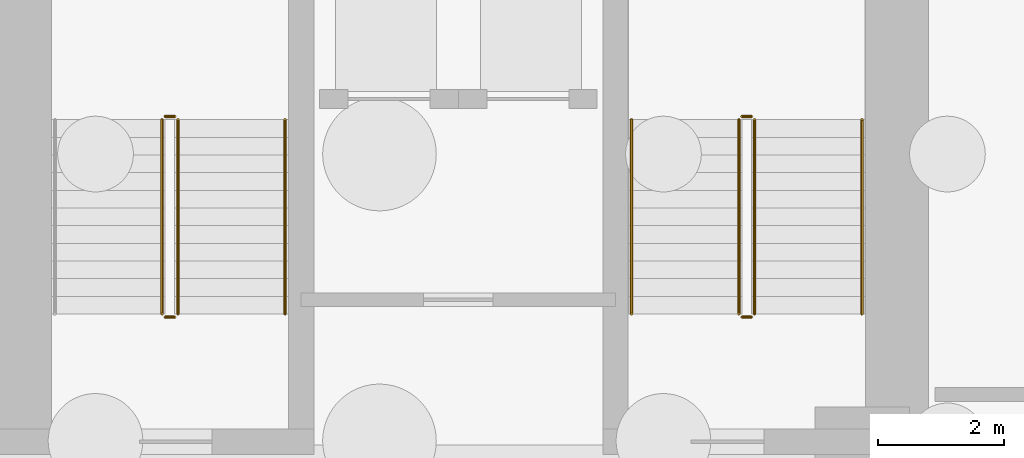
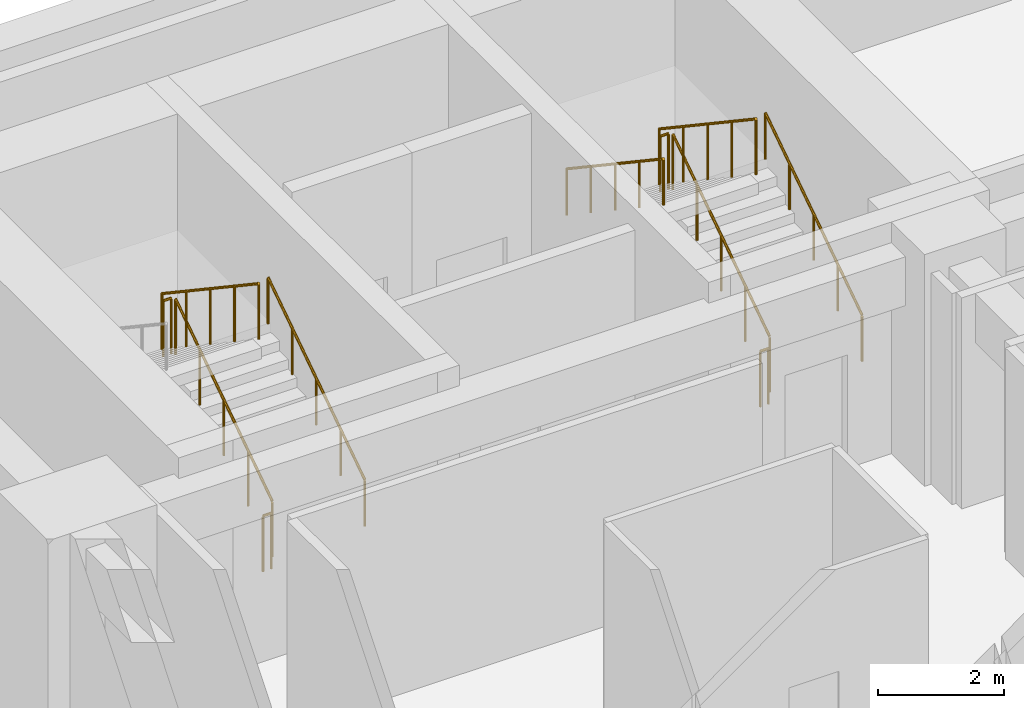
# One storey, part 6 of 8: 11 railings.
"""IFC4 building model written with IfcOpenShell, lengths in metres."""

from ifc_helpers import new_model, si_unit, direction, frame, origin, origin_2d, place, context, subcontext, project, spatial, circle, extrude, material, type_object, element, save


model = new_model("IFC4")

# Units and contexts
model_context = context("Model", 3, precision=1e-05, world=origin(), true_north=direction((0.0, 1.0)))
body_context = subcontext(model_context, "Body", "Model", "MODEL_VIEW")
ifc_project = project(units=[si_unit("LENGTHUNIT", "METRE"), si_unit("AREAUNIT", "SQUARE_METRE"), si_unit("VOLUMEUNIT", "CUBIC_METRE"), si_unit("PLANEANGLEUNIT", "RADIAN"), si_unit("MASSUNIT", "GRAM", prefix="KILO")], contexts=[model_context])

# Site, building, storey
site_placement = place(None, origin())
site = spatial("IfcSite", under=ifc_project, at=site_placement, CompositionType="ELEMENT")
building_placement = place(site_placement, origin())
building = spatial("IfcBuilding", under=site, at=building_placement, Name="Sulina Concourse Tower", CompositionType="ELEMENT")
storey_placement = place(building_placement, frame((0.0, 0.0, -9.0)))
storey = spatial("IfcBuildingStorey", under=building, at=storey_placement, Name="B2", CompositionType="ELEMENT", Elevation=-9.0)

# Railings
ifc_material_1 = material(Name="Galvanised steel railing", Category="steel")
railing_type_1 = type_object("IfcRailingType", Name="Core Stair Steel Guardrail 1150mm", PredefinedType="GUARDRAIL", material=ifc_material_1)
railing_1_placement = place(storey_placement, frame((5.554931640625, 36.375, 0.1875)))
element("IfcRailing", 1, at=railing_1_placement, inside=storey, type_object=railing_type_1, Name="B2 ST-1 stair guard 1", PredefinedType="GUARDRAIL", context=body_context, shape_type="SweptSolid", body=[
    extrude(circle(Radius=0.02392578125, at=origin_2d()), frame((0.0, 0.0, 1.076171875), z_axis=(0.0, 0.830913701846, 0.55640131208), x_axis=(-1.0, 0.0, 0.0)), (0.0, 0.0, 1.0), 3.706787109375),
    extrude(circle(Radius=0.02099609375, at=origin_2d()), origin(), (0.0, 0.0, 1.0), 1.052001953125),
    extrude(circle(Radius=0.02099609375, at=origin_2d()), frame((0.0, 0.77001953125, 0.515625)), (0.0, 0.0, 1.0), 1.052001953125),
    extrude(circle(Radius=0.02099609375, at=origin_2d()), frame((0.0, 1.5400390625, 1.03125)), (0.0, 0.0, 1.0), 1.052001953125),
    extrude(circle(Radius=0.02099609375, at=origin_2d()), frame((0.0, 2.31005859375, 1.546875)), (0.0, 0.0, 1.0), 1.052001953125),
    extrude(circle(Radius=0.02099609375, at=origin_2d()), frame((0.0, 3.080078125, 2.0625)), (0.0, 0.0, 1.0), 1.052001953125),
])
railing_2_placement = place(storey_placement, frame((5.5048828125, 39.5048828125, 2.25)))
element("IfcRailing", 2, at=railing_2_placement, inside=storey, type_object=railing_type_1, Name="B2 ST-1 stair guard 2", PredefinedType="GUARDRAIL", context=body_context, shape_type="SweptSolid", body=[
    extrude(circle(Radius=0.02392578125, at=origin_2d()), frame((0.0, 0.0, 1.076171875), z_axis=(-1.0, 0.0, 0.0), x_axis=(0.0, -1.0, 0.0)), (0.0, 0.0, 1.0), 0.14990234375),
    extrude(circle(Radius=0.02099609375, at=origin_2d()), origin(), (0.0, 0.0, 1.0), 1.052001953125),
    extrude(circle(Radius=0.02099609375, at=origin_2d()), frame((-0.14990234375, 0.0, 0.0)), (0.0, 0.0, 1.0), 1.052001953125),
])
railing_3_placement = place(storey_placement, frame((5.304931640625, 39.455078125, 2.4375)))
element("IfcRailing", 3, at=railing_3_placement, inside=storey, type_object=railing_type_1, Name="B2 ST-1 stair guard 3", PredefinedType="GUARDRAIL", context=body_context, shape_type="SweptSolid", body=[
    extrude(circle(Radius=0.02392578125, at=origin_2d()), frame((0.0, 0.0, 1.076171875), z_axis=(0.0, -0.830913701846, 0.55640131208), x_axis=(1.0, 0.0, 0.0)), (0.0, 0.0, 1.0), 3.706787109375),
    extrude(circle(Radius=0.02099609375, at=origin_2d()), origin(), (0.0, 0.0, 1.0), 1.052001953125),
    extrude(circle(Radius=0.02099609375, at=origin_2d()), frame((0.0, -0.77001953125, 0.515625)), (0.0, 0.0, 1.0), 1.052001953125),
    extrude(circle(Radius=0.02099609375, at=origin_2d()), frame((0.0, -1.5400390625, 1.03125)), (0.0, 0.0, 1.0), 1.052001953125),
    extrude(circle(Radius=0.02099609375, at=origin_2d()), frame((0.0, -2.31005859375, 1.546875)), (0.0, 0.0, 1.0), 1.052001953125),
    extrude(circle(Radius=0.02099609375, at=origin_2d()), frame((0.0, -3.080078125, 2.0625)), (0.0, 0.0, 1.0), 1.052001953125),
])
railing_4_placement = place(storey_placement, frame((5.5048828125, 36.324951171875, 0.0)))
element("IfcRailing", 4, at=railing_4_placement, inside=storey, type_object=railing_type_1, Name="B2 ST-1 stair guard 4", PredefinedType="GUARDRAIL", context=body_context, shape_type="SweptSolid", body=[
    extrude(circle(Radius=0.02392578125, at=origin_2d()), frame((0.0, 0.0, 1.076171875), z_axis=(-1.0, 0.0, 0.0), x_axis=(0.0, -1.0, 0.0)), (0.0, 0.0, 1.0), 0.14990234375),
    extrude(circle(Radius=0.02099609375, at=origin_2d()), origin(), (0.0, 0.0, 1.0), 1.052001953125),
    extrude(circle(Radius=0.02099609375, at=origin_2d()), frame((-0.14990234375, 0.0, 0.0)), (0.0, 0.0, 1.0), 1.052001953125),
])
railing_5_placement = place(storey_placement, frame((14.695068359375, 36.375, 0.1875)))
element("IfcRailing", 5, at=railing_5_placement, inside=storey, type_object=railing_type_1, Name="B2 ST-2 stair guard 1", PredefinedType="GUARDRAIL", context=body_context, shape_type="SweptSolid", body=[
    extrude(circle(Radius=0.02392578125, at=origin_2d()), frame((0.0, 0.0, 1.076171875), z_axis=(0.0, 0.830913701846, 0.55640131208), x_axis=(-1.0, 0.0, 0.0)), (0.0, 0.0, 1.0), 3.706787109375),
    extrude(circle(Radius=0.02099609375, at=origin_2d()), origin(), (0.0, 0.0, 1.0), 1.052001953125),
    extrude(circle(Radius=0.02099609375, at=origin_2d()), frame((0.0, 0.77001953125, 0.515625)), (0.0, 0.0, 1.0), 1.052001953125),
    extrude(circle(Radius=0.02099609375, at=origin_2d()), frame((0.0, 1.5400390625, 1.03125)), (0.0, 0.0, 1.0), 1.052001953125),
    extrude(circle(Radius=0.02099609375, at=origin_2d()), frame((0.0, 2.31005859375, 1.546875)), (0.0, 0.0, 1.0), 1.052001953125),
    extrude(circle(Radius=0.02099609375, at=origin_2d()), frame((0.0, 3.080078125, 2.0625)), (0.0, 0.0, 1.0), 1.052001953125),
])
railing_6_placement = place(storey_placement, frame((14.64501953125, 39.5048828125, 2.25)))
element("IfcRailing", 6, at=railing_6_placement, inside=storey, type_object=railing_type_1, Name="B2 ST-2 stair guard 2", PredefinedType="GUARDRAIL", context=body_context, shape_type="SweptSolid", body=[
    extrude(circle(Radius=0.02392578125, at=origin_2d()), frame((0.0, 0.0, 1.076171875), z_axis=(-1.0, 0.0, 0.0), x_axis=(0.0, -1.0, 0.0)), (0.0, 0.0, 1.0), 0.14990234375),
    extrude(circle(Radius=0.02099609375, at=origin_2d()), origin(), (0.0, 0.0, 1.0), 1.052001953125),
    extrude(circle(Radius=0.02099609375, at=origin_2d()), frame((-0.14990234375, 0.0, 0.0)), (0.0, 0.0, 1.0), 1.052001953125),
])
railing_7_placement = place(storey_placement, frame((14.445068359375, 39.455078125, 2.4375)))
element("IfcRailing", 7, at=railing_7_placement, inside=storey, type_object=railing_type_1, Name="B2 ST-2 stair guard 3", PredefinedType="GUARDRAIL", context=body_context, shape_type="SweptSolid", body=[
    extrude(circle(Radius=0.02392578125, at=origin_2d()), frame((0.0, 0.0, 1.076171875), z_axis=(0.0, -0.830913701846, 0.55640131208), x_axis=(1.0, 0.0, 0.0)), (0.0, 0.0, 1.0), 3.706787109375),
    extrude(circle(Radius=0.02099609375, at=origin_2d()), origin(), (0.0, 0.0, 1.0), 1.052001953125),
    extrude(circle(Radius=0.02099609375, at=origin_2d()), frame((0.0, -0.77001953125, 0.515625)), (0.0, 0.0, 1.0), 1.052001953125),
    extrude(circle(Radius=0.02099609375, at=origin_2d()), frame((0.0, -1.5400390625, 1.03125)), (0.0, 0.0, 1.0), 1.052001953125),
    extrude(circle(Radius=0.02099609375, at=origin_2d()), frame((0.0, -2.31005859375, 1.546875)), (0.0, 0.0, 1.0), 1.052001953125),
    extrude(circle(Radius=0.02099609375, at=origin_2d()), frame((0.0, -3.080078125, 2.0625)), (0.0, 0.0, 1.0), 1.052001953125),
])
railing_8_placement = place(storey_placement, frame((14.64501953125, 36.324951171875, 0.0)))
element("IfcRailing", 8, at=railing_8_placement, inside=storey, type_object=railing_type_1, Name="B2 ST-2 stair guard 4", PredefinedType="GUARDRAIL", context=body_context, shape_type="SweptSolid", body=[
    extrude(circle(Radius=0.02392578125, at=origin_2d()), frame((0.0, 0.0, 1.076171875), z_axis=(-1.0, 0.0, 0.0), x_axis=(0.0, -1.0, 0.0)), (0.0, 0.0, 1.0), 0.14990234375),
    extrude(circle(Radius=0.02099609375, at=origin_2d()), origin(), (0.0, 0.0, 1.0), 1.052001953125),
    extrude(circle(Radius=0.02099609375, at=origin_2d()), frame((-0.14990234375, 0.0, 0.0)), (0.0, 0.0, 1.0), 1.052001953125),
])
ifc_material_2 = material(Name="Galvanised steel railing", Category="steel")
railing_type_2 = type_object("IfcRailingType", Name="Stair Wall Steel Handrail 920mm", PredefinedType="HANDRAIL", material=ifc_material_2)
for number, where, name in (
    (9, (7.2548828125, 36.375, 0.1875), "B2 ST-1 stair handrail 1"),
    (10, (16.39501953125, 36.375, 0.1875), "B2 ST-2 stair handrail 1"),
):
    element("IfcRailing", number, at=place(storey_placement, frame(where)), inside=storey, type_object=railing_type_2, Name=name, PredefinedType="HANDRAIL", context=body_context, shape_type="SweptSolid", body=[
        extrude(circle(Radius=0.02392578125, at=origin_2d()), frame((0.0, 0.0, 0.89599609375), z_axis=(0.0, 0.830913701846, 0.55640131208), x_axis=(-1.0, 0.0, 0.0)), (0.0, 0.0, 1.0), 3.706787109375),
        extrude(circle(Radius=0.02099609375, at=origin_2d()), origin(), (0.0, 0.0, 1.0), 0.871826171875),
        extrude(circle(Radius=0.02099609375, at=origin_2d()), frame((0.0, 0.77001953125, 0.515625)), (0.0, 0.0, 1.0), 0.871826171875),
        extrude(circle(Radius=0.02099609375, at=origin_2d()), frame((0.0, 1.5400390625, 1.03125)), (0.0, 0.0, 1.0), 0.871826171875),
        extrude(circle(Radius=0.02099609375, at=origin_2d()), frame((0.0, 2.31005859375, 1.546875)), (0.0, 0.0, 1.0), 0.871826171875),
        extrude(circle(Radius=0.02099609375, at=origin_2d()), frame((0.0, 3.080078125, 2.0625)), (0.0, 0.0, 1.0), 0.871826171875),
    ])
railing_9_placement = place(storey_placement, frame((12.7451171875, 39.455078125, 2.4375)))
element("IfcRailing", 11, at=railing_9_placement, inside=storey, type_object=railing_type_2, Name="B2 ST-2 stair handrail 2", PredefinedType="HANDRAIL", context=body_context, shape_type="SweptSolid", body=[
    extrude(circle(Radius=0.02392578125, at=origin_2d()), frame((0.0, 0.0, 0.89599609375), z_axis=(0.0, -0.830913701846, 0.55640131208), x_axis=(1.0, 0.0, 0.0)), (0.0, 0.0, 1.0), 3.706787109375),
    extrude(circle(Radius=0.02099609375, at=origin_2d()), origin(), (0.0, 0.0, 1.0), 0.871826171875),
    extrude(circle(Radius=0.02099609375, at=origin_2d()), frame((0.0, -0.77001953125, 0.515625)), (0.0, 0.0, 1.0), 0.871826171875),
    extrude(circle(Radius=0.02099609375, at=origin_2d()), frame((0.0, -1.5400390625, 1.03125)), (0.0, 0.0, 1.0), 0.871826171875),
    extrude(circle(Radius=0.02099609375, at=origin_2d()), frame((0.0, -2.31005859375, 1.546875)), (0.0, 0.0, 1.0), 0.871826171875),
    extrude(circle(Radius=0.02099609375, at=origin_2d()), frame((0.0, -3.080078125, 2.0625)), (0.0, 0.0, 1.0), 0.871826171875),
])

save(model, "model.ifc")
